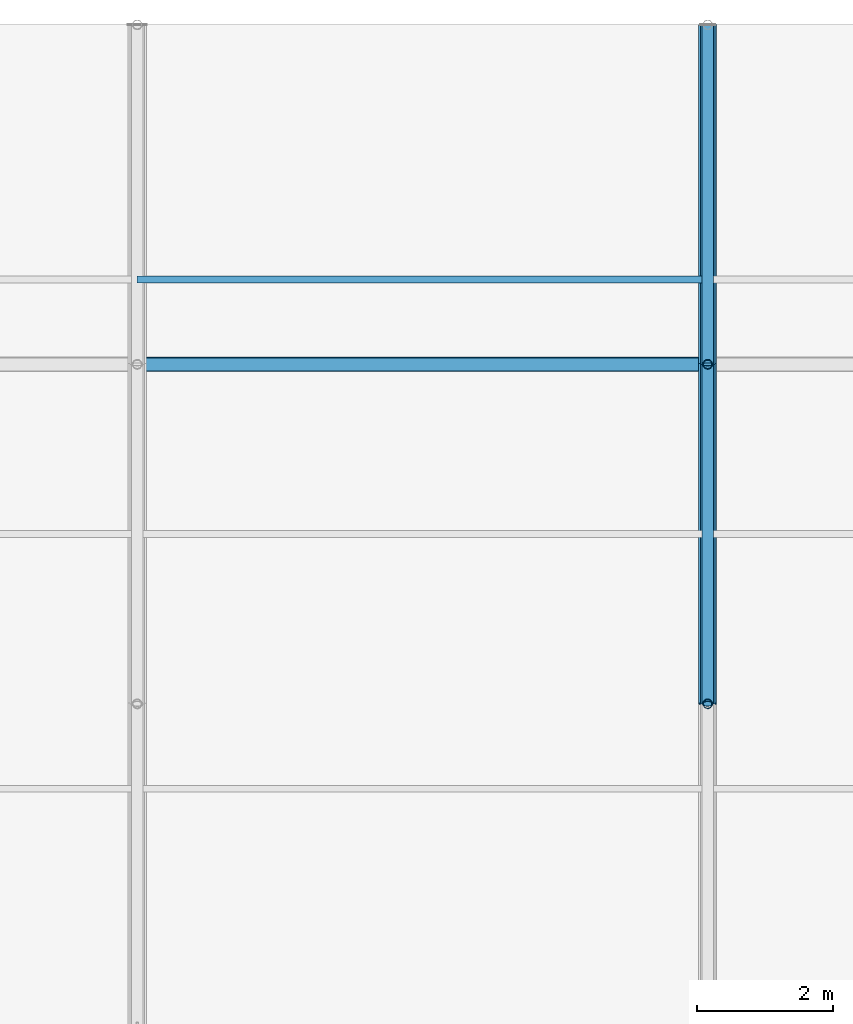
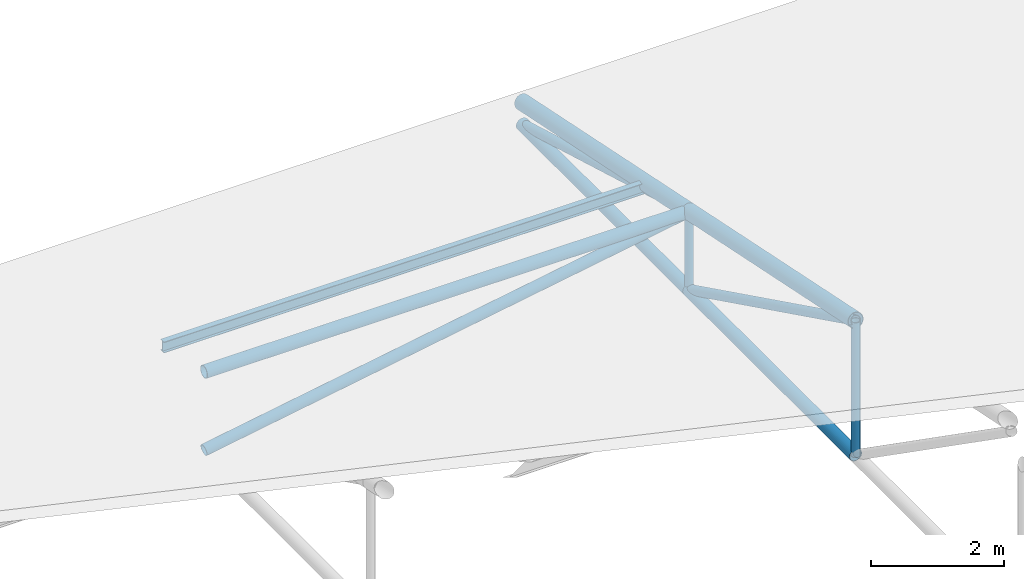
# One storey, part 57 of 194: 10 members, 1 beam.
"""IFC4 building model written with IfcOpenShell, lengths in metres."""

from ifc_helpers import new_model, si_unit, direction, frame, origin, origin_2d, place, context, subcontext, project, spatial, hollow_circle, i_section, extrude, material, material_profile, profile_set, type_object, element, save


model = new_model("IFC4")

# Units and contexts
model_context = context("Model", 3, precision=1e-05, world=origin(), true_north=direction((0.0, 1.0)))
body_context = subcontext(model_context, "Body", "Model", "MODEL_VIEW")
ifc_project = project(units=[si_unit("LENGTHUNIT", "METRE"), si_unit("AREAUNIT", "SQUARE_METRE"), si_unit("VOLUMEUNIT", "CUBIC_METRE"), si_unit("PLANEANGLEUNIT", "RADIAN"), si_unit("MASSUNIT", "GRAM", prefix="KILO")], contexts=[model_context])

# Site, building, storey
site_placement = place(None, origin())
site = spatial("IfcSite", under=ifc_project, at=site_placement, CompositionType="ELEMENT")
building_placement = place(site_placement, origin())
building = spatial("IfcBuilding", under=site, at=building_placement, Name="Kazenagashi Tramway Depot", CompositionType="ELEMENT")
storey_placement = place(building_placement, frame((0.0, 0.0, 23.7)))
storey = spatial("IfcBuildingStorey", under=building, at=storey_placement, Name="ROOF", CompositionType="ELEMENT", Elevation=23.7)

# Beam
ifc_material_1 = material(Name="Steel SN400B", Category="steel")
ifc_material_profile_1 = material_profile(ifc_material_1, i_section(OverallWidth=0.1, OverallDepth=0.2, WebThickness=0.0055, FlangeThickness=0.008, at=origin_2d()), Name="H-200x100x5.5x8")
ifc_profile_set_1 = profile_set([ifc_material_profile_1], Name="Steel SN400B")
beam_type = type_object("IfcBeamType", Name="PR-01", PredefinedType="USERDEFINED", material=ifc_profile_set_1)
beam_placement = place(storey_placement, frame((95.2, 126.25, -12.955), z_axis=(1.0, 0.0, 0.0), x_axis=(0.0, 1.0, 0.0)))
element("IfcBeam", 1, at=beam_placement, inside=storey, type_object=beam_type, Name="Beam PR-01 BM-2222", ObjectType="PURLIN", PredefinedType="USERDEFINED", context=body_context, shape_type="SweptSolid", body=[
    extrude(i_section(OverallWidth=0.1, OverallDepth=0.2, WebThickness=0.0055, FlangeThickness=0.008, at=origin_2d()), origin(), (0.0, 0.0, 1.0), 8.4),
])

# Members
ifc_material_2 = material(Name="Steel STK490", Category="steel")
ifc_material_profile_2 = material_profile(ifc_material_2, hollow_circle(Radius=0.1337, WallThickness=0.0093, at=origin_2d()), Name="CHS-267.4x9.3")
ifc_profile_set_2 = profile_set([ifc_material_profile_2], Name="Steel STK490")
member_type_1 = type_object("IfcMemberType", Name="TC-01", PredefinedType="CHORD", material=ifc_profile_set_2)
member_1_placement = place(storey_placement, frame((103.6, 120.0, -11.633), z_axis=(0.0, 0.979279174591, -0.202514933305), x_axis=(-1.0, 0.0, 0.0)))
element("IfcMember", 2, at=member_1_placement, inside=storey, type_object=member_type_1, Name="Tubular Space Frame TC-01 MEM-0471", PredefinedType="CHORD", context=body_context, shape_type="SweptSolid", body=[
    extrude(hollow_circle(Radius=0.1337, WallThickness=0.0093, at=origin_2d()), origin(), (0.0, 0.0, 1.0), 5.105796),
])
member_2_placement = place(storey_placement, frame((103.6, 125.0, -12.667), z_axis=(0.0, 0.979317999984, -0.202327098797), x_axis=(-1.0, 0.0, 0.0)))
element("IfcMember", 3, at=member_2_placement, inside=storey, type_object=member_type_1, Name="Tubular Space Frame TC-01 MEM-0474", PredefinedType="CHORD", context=body_context, shape_type="SweptSolid", body=[
    extrude(hollow_circle(Radius=0.1337, WallThickness=0.0093, at=origin_2d()), origin(), (0.0, 0.0, 1.0), 5.105594),
])
ifc_material_profile_3 = material_profile(ifc_material_2, hollow_circle(Radius=0.10815, WallThickness=0.0082, at=origin_2d()), Name="CHS-216.3x8.2")
ifc_profile_set_3 = profile_set([ifc_material_profile_3], Name="Steel STK490")
member_type_2 = type_object("IfcMemberType", Name="TC-02", PredefinedType="CHORD", material=ifc_profile_set_3)
member_3_placement = place(storey_placement, frame((95.2, 125.0, -12.667), z_axis=(1.0, 0.0, 0.0), x_axis=(0.0, 1.0, 0.0)))
element("IfcMember", 4, at=member_3_placement, inside=storey, type_object=member_type_2, Name="Tubular Space Frame TC-02 MEM-0426", PredefinedType="CHORD", context=body_context, shape_type="SweptSolid", body=[
    extrude(hollow_circle(Radius=0.10815, WallThickness=0.0082, at=origin_2d()), origin(), (0.0, 0.0, 1.0), 8.4),
])
for number, where, z_axis, x_axis, name in (
    (5, (103.6, 120.0, -14.1), (0.0, 1.0, 0.0), (-1.0, 0.0, 0.0), "Tubular Space Frame TC-02 MEM-0472"),
    (6, (103.6, 125.0, -14.1), (0.0, 1.0, 0.0), (-1.0, 0.0, 0.0), "Tubular Space Frame TC-02 MEM-0475"),
):
    element("IfcMember", number, at=place(storey_placement, frame(where, z_axis=z_axis, x_axis=x_axis)), inside=storey, type_object=member_type_2, Name=name, PredefinedType="CHORD", context=body_context, shape_type="SweptSolid", body=[
        extrude(hollow_circle(Radius=0.10815, WallThickness=0.0082, at=origin_2d()), origin(), (0.0, 0.0, 1.0), 5.0),
    ])
ifc_material_profile_4 = material_profile(ifc_material_2, hollow_circle(Radius=0.0826, WallThickness=0.0071, at=origin_2d()), Name="CHS-165.2x7.1")
ifc_profile_set_4 = profile_set([ifc_material_profile_4], Name="Steel STK490")
member_type_3 = type_object("IfcMemberType", Name="TS-01", PredefinedType="STRUT", material=ifc_profile_set_4)
member_4_placement = place(storey_placement, frame((103.6, 120.0, -11.633), z_axis=(0.0, 0.896782162482, -0.442472318969), x_axis=(-1.0, 0.0, 0.0)))
element("IfcMember", 7, at=member_4_placement, inside=storey, type_object=member_type_3, Name="Tubular Space Frame TS-01 MEM-0473", PredefinedType="STRUT", context=body_context, shape_type="SweptSolid", body=[
    extrude(hollow_circle(Radius=0.0826, WallThickness=0.0071, at=origin_2d()), origin(), (0.0, 0.0, 1.0), 5.57549),
])
member_5_placement = place(storey_placement, frame((103.6, 125.0, -12.667), z_axis=(0.0, 0.961298717795, -0.27550821252), x_axis=(-1.0, 0.0, 0.0)))
element("IfcMember", 8, at=member_5_placement, inside=storey, type_object=member_type_3, Name="Tubular Space Frame TS-01 MEM-0476", PredefinedType="STRUT", context=body_context, shape_type="SweptSolid", body=[
    extrude(hollow_circle(Radius=0.0826, WallThickness=0.0071, at=origin_2d()), origin(), (0.0, 0.0, 1.0), 5.201297),
])
ifc_material_profile_5 = material_profile(ifc_material_2, hollow_circle(Radius=0.0699, WallThickness=0.0066, at=origin_2d()), Name="CHS-139.8x6.6")
ifc_profile_set_5 = profile_set([ifc_material_profile_5], Name="Steel STK490")
member_type_4 = type_object("IfcMemberType", Name="TS-02", PredefinedType="STRUT", material=ifc_profile_set_5)
member_6_placement = place(storey_placement, frame((103.6, 120.0, -14.1), z_axis=(0.0, 0.0, 1.0), x_axis=(1.0, 0.0, 0.0)))
element("IfcMember", 9, at=member_6_placement, inside=storey, type_object=member_type_4, Name="Tubular Space Frame TS-02 MEM-0480", PredefinedType="STRUT", context=body_context, shape_type="SweptSolid", body=[
    extrude(hollow_circle(Radius=0.0699, WallThickness=0.0066, at=origin_2d()), origin(), (0.0, 0.0, 1.0), 2.467),
])
member_7_placement = place(storey_placement, frame((103.6, 125.0, -14.1), z_axis=(0.0, 0.0, 1.0), x_axis=(1.0, 0.0, 0.0)))
element("IfcMember", 10, at=member_7_placement, inside=storey, type_object=member_type_4, Name="Tubular Space Frame TS-02 MEM-0481", PredefinedType="STRUT", context=body_context, shape_type="SweptSolid", body=[
    extrude(hollow_circle(Radius=0.0699, WallThickness=0.0066, at=origin_2d()), origin(), (0.0, 0.0, 1.0), 1.433),
])
ifc_material_profile_6 = material_profile(ifc_material_2, hollow_circle(Radius=0.09535, WallThickness=0.007, at=origin_2d()), Name="CHS-190.7x7.0")
ifc_profile_set_6 = profile_set([ifc_material_profile_6], Name="Steel STK490")
member_type_5 = type_object("IfcMemberType", Name="TS-05", PredefinedType="STRUT", material=ifc_profile_set_6)
member_8_placement = place(storey_placement, frame((95.2, 125.0, -14.1), z_axis=(0.985758734117, 0.0, 0.168165745951), x_axis=(0.0, 1.0, 0.0)))
element("IfcMember", 11, at=member_8_placement, inside=storey, type_object=member_type_5, Name="Tubular Space Frame TS-05 MEM-0427", PredefinedType="STRUT", context=body_context, shape_type="SweptSolid", body=[
    extrude(hollow_circle(Radius=0.09535, WallThickness=0.007, at=origin_2d()), origin(), (0.0, 0.0, 1.0), 8.521355),
])

save(model, "model.ifc")
